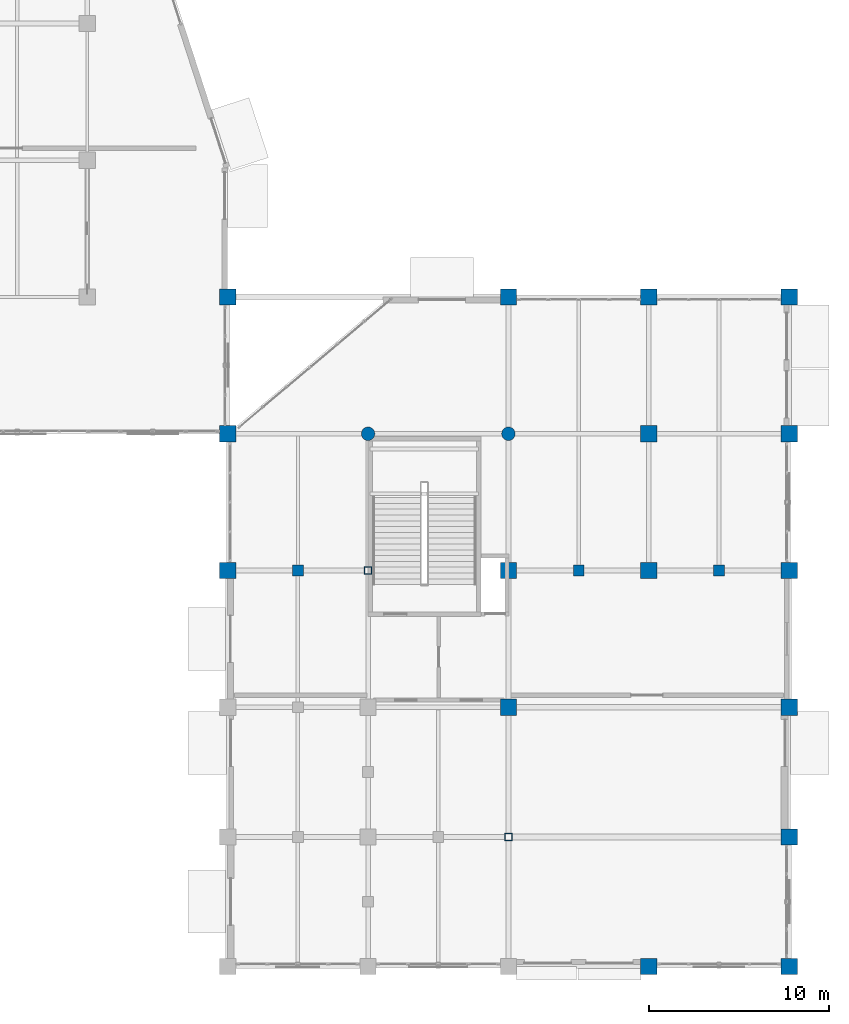
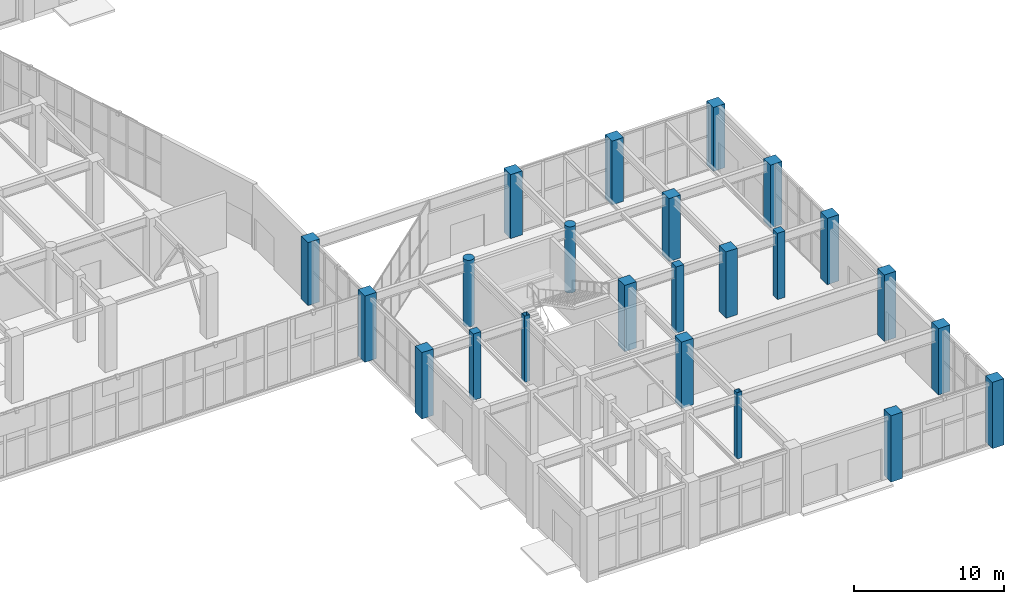
# One storey, part 7 of 139: 23 columns.
"""IFC4 building model written with IfcOpenShell, lengths in metres."""

from ifc_helpers import new_model, si_unit, direction, frame, origin, origin_2d, place, context, subcontext, project, spatial, rectangle, hollow_rectangle, circle, extrude, material, material_profile, profile_set, type_object, element, save


model = new_model("IFC4")

# Units and contexts
model_context = context("Model", 3, precision=1e-05, world=origin(), true_north=direction((0.0, 1.0)))
body_context = subcontext(model_context, "Body", "Model", "MODEL_VIEW")
ifc_project = project(units=[si_unit("LENGTHUNIT", "METRE"), si_unit("AREAUNIT", "SQUARE_METRE"), si_unit("VOLUMEUNIT", "CUBIC_METRE"), si_unit("PLANEANGLEUNIT", "RADIAN"), si_unit("MASSUNIT", "GRAM", prefix="KILO")], contexts=[model_context])

# Site, building, storey
site_placement = place(None, origin())
site = spatial("IfcSite", under=ifc_project, at=site_placement, CompositionType="ELEMENT")
building_placement = place(site_placement, origin())
building = spatial("IfcBuilding", under=site, at=building_placement, Name="Xicomal Pleat Aquarium", CompositionType="ELEMENT")
storey_placement = place(building_placement, origin())
storey = spatial("IfcBuildingStorey", under=building, at=storey_placement, Name="L01", CompositionType="ELEMENT", Elevation=0.0)

# Columns
ifc_material_1 = material(Name="Concrete C40/50", Category="concrete")
ifc_material_profile_1 = material_profile(ifc_material_1, rectangle(XDim=0.60009765625, YDim=0.60009765625, at=origin_2d()), Name="RC 600x600")
ifc_profile_set_1 = profile_set([ifc_material_profile_1], Name="Concrete C40/50")
column_type_1 = type_object("IfcColumnType", Name="COL-RC-600x600", PredefinedType="COLUMN", material=ifc_profile_set_1)
for number, where, z_axis, x_axis, name in (
    (1, (137.699951171875, 22.800048828125, 0.0), (0.0, 0.0, 1.0), (1.0, 0.0, 0.0), "L01 intermediate support column SUB-26"),
    (2, (153.300048828125, 22.800048828125, 0.0), (0.0, 0.0, 1.0), (1.0, 0.0, 0.0), "L01 intermediate support column SUB-31"),
    (3, (161.10009765625, 22.800048828125, 0.0), (0.0, 0.0, 1.0), (1.0, 0.0, 0.0), "L01 intermediate support column SUB-32"),
):
    element("IfcColumn", number, at=place(storey_placement, frame(where, z_axis=z_axis, x_axis=x_axis)), inside=storey, type_object=column_type_1, Name=name, PredefinedType="COLUMN", context=body_context, shape_type="SweptSolid", body=[
        extrude(rectangle(XDim=0.60009765625, YDim=0.60009765625, at=origin_2d()), origin(), (0.0, 0.0, 1.0), 5.39990234375),
    ])
ifc_material_2 = material(Name="Concrete C40/50", Category="concrete")
ifc_material_profile_2 = material_profile(ifc_material_2, rectangle(XDim=0.89990234375, YDim=0.89990234375, at=origin_2d()), Name="RC 900x900")
ifc_profile_set_2 = profile_set([ifc_material_profile_2], Name="Concrete C40/50")
column_type_2 = type_object("IfcColumnType", Name="COL-RC-900x900", PredefinedType="COLUMN", material=ifc_profile_set_2)
for number, where, z_axis, x_axis, name in (
    (4, (133.800048828125, 22.800048828125, 0.0), (0.0, 0.0, 1.0), (1.0, 0.0, 0.0), "L01 column 17/D"),
    (5, (133.800048828125, 30.39990234375, 0.0), (0.0, 0.0, 1.0), (1.0, 0.0, 0.0), "L01 column 17/E"),
):
    element("IfcColumn", number, at=place(storey_placement, frame(where, z_axis=z_axis, x_axis=x_axis)), inside=storey, type_object=column_type_2, Name=name, PredefinedType="COLUMN", context=body_context, shape_type="SweptSolid", body=[
        extrude(rectangle(XDim=0.89990234375, YDim=0.89990234375, at=origin_2d()), origin(), (0.0, 0.0, 1.0), 5.39990234375),
    ])
column_1_placement = place(storey_placement, frame((133.800048828125, 38.0, 0.0), z_axis=(0.0, 0.0, 1.0), x_axis=(1.0, 0.0, 0.0)))
element("IfcColumn", 6, at=column_1_placement, inside=storey, type_object=column_type_2, Name="L01 column 17/F", PredefinedType="COLUMN", context=body_context, shape_type="SweptSolid", body=[
    extrude(rectangle(XDim=0.89990234375, YDim=0.89990234375, at=origin_2d()), origin(), (0.0, 0.0, 1.0), 5.1201171875),
])
for number, where, z_axis, x_axis, name in (
    (7, (149.39990234375, 15.199951171875, 0.0), (0.0, 0.0, 1.0), (1.0, 0.0, 0.0), "L01 column 19/C"),
    (8, (149.39990234375, 22.800048828125, 0.0), (0.0, 0.0, 1.0), (1.0, 0.0, 0.0), "L01 column 19/D"),
):
    element("IfcColumn", number, at=place(storey_placement, frame(where, z_axis=z_axis, x_axis=x_axis)), inside=storey, type_object=column_type_2, Name=name, PredefinedType="COLUMN", context=body_context, shape_type="SweptSolid", body=[
        extrude(rectangle(XDim=0.89990234375, YDim=0.89990234375, at=origin_2d()), origin(), (0.0, 0.0, 1.0), 5.39990234375),
    ])
column_2_placement = place(storey_placement, frame((149.39990234375, 38.0, 0.0), z_axis=(0.0, 0.0, 1.0), x_axis=(1.0, 0.0, 0.0)))
element("IfcColumn", 9, at=column_2_placement, inside=storey, type_object=column_type_2, Name="L01 column 19/F", PredefinedType="COLUMN", context=body_context, shape_type="SweptSolid", body=[
    extrude(rectangle(XDim=0.89990234375, YDim=0.89990234375, at=origin_2d()), origin(), (0.0, 0.0, 1.0), 5.199951171875),
])
for number, where, z_axis, x_axis, name in (
    (10, (157.199951171875, 0.800048828125, 0.0), (0.0, 0.0, 1.0), (1.0, 0.0, 0.0), "L01 column 20/A"),
    (11, (157.199951171875, 22.800048828125, 0.0), (0.0, 0.0, 1.0), (1.0, 0.0, 0.0), "L01 column 20/D"),
):
    element("IfcColumn", number, at=place(storey_placement, frame(where, z_axis=z_axis, x_axis=x_axis)), inside=storey, type_object=column_type_2, Name=name, PredefinedType="COLUMN", context=body_context, shape_type="SweptSolid", body=[
        extrude(rectangle(XDim=0.89990234375, YDim=0.89990234375, at=origin_2d()), origin(), (0.0, 0.0, 1.0), 5.39990234375),
    ])
column_3_placement = place(storey_placement, frame((157.199951171875, 30.39990234375, 0.0), z_axis=(0.0, 0.0, 1.0), x_axis=(1.0, 0.0, 0.0)))
element("IfcColumn", 12, at=column_3_placement, inside=storey, type_object=column_type_2, Name="L01 column 20/E", PredefinedType="COLUMN", context=body_context, shape_type="SweptSolid", body=[
    extrude(rectangle(XDim=0.89990234375, YDim=0.89990234375, at=origin_2d()), origin(), (0.0, 0.0, 1.0), 5.1201171875),
])
column_4_placement = place(storey_placement, frame((157.199951171875, 38.0, 0.0), z_axis=(0.0, 0.0, 1.0), x_axis=(1.0, 0.0, 0.0)))
element("IfcColumn", 13, at=column_4_placement, inside=storey, type_object=column_type_2, Name="L01 column 20/F", PredefinedType="COLUMN", context=body_context, shape_type="SweptSolid", body=[
    extrude(rectangle(XDim=0.89990234375, YDim=0.89990234375, at=origin_2d()), origin(), (0.0, 0.0, 1.0), 5.199951171875),
])
for number, where, z_axis, x_axis, name in (
    (14, (165.0, 0.800048828125, 0.0), (0.0, 0.0, 1.0), (1.0, 0.0, 0.0), "L01 column 21/A"),
    (15, (165.0, 8.0, 0.0), (0.0, 0.0, 1.0), (1.0, 0.0, 0.0), "L01 column 21/B"),
    (16, (165.0, 15.199951171875, 0.0), (0.0, 0.0, 1.0), (1.0, 0.0, 0.0), "L01 column 21/C"),
    (17, (165.0, 22.800048828125, 0.0), (0.0, 0.0, 1.0), (1.0, 0.0, 0.0), "L01 column 21/D"),
):
    element("IfcColumn", number, at=place(storey_placement, frame(where, z_axis=z_axis, x_axis=x_axis)), inside=storey, type_object=column_type_2, Name=name, PredefinedType="COLUMN", context=body_context, shape_type="SweptSolid", body=[
        extrude(rectangle(XDim=0.89990234375, YDim=0.89990234375, at=origin_2d()), origin(), (0.0, 0.0, 1.0), 5.39990234375),
    ])
column_5_placement = place(storey_placement, frame((165.0, 30.39990234375, 0.0), z_axis=(0.0, 0.0, 1.0), x_axis=(1.0, 0.0, 0.0)))
element("IfcColumn", 18, at=column_5_placement, inside=storey, type_object=column_type_2, Name="L01 column 21/E", PredefinedType="COLUMN", context=body_context, shape_type="SweptSolid", body=[
    extrude(rectangle(XDim=0.89990234375, YDim=0.89990234375, at=origin_2d()), origin(), (0.0, 0.0, 1.0), 5.1201171875),
])
column_6_placement = place(storey_placement, frame((165.0, 38.0, 0.0), z_axis=(0.0, 0.0, 1.0), x_axis=(1.0, 0.0, 0.0)))
element("IfcColumn", 19, at=column_6_placement, inside=storey, type_object=column_type_2, Name="L01 column 21/F", PredefinedType="COLUMN", context=body_context, shape_type="SweptSolid", body=[
    extrude(rectangle(XDim=0.89990234375, YDim=0.89990234375, at=origin_2d()), origin(), (0.0, 0.0, 1.0), 5.199951171875),
])
ifc_material_3 = material(Name="Concrete C40/50", Category="concrete")
ifc_material_profile_3 = material_profile(ifc_material_3, circle(Radius=0.375, at=origin_2d()), Name="RCC D750")
ifc_profile_set_3 = profile_set([ifc_material_profile_3], Name="Concrete C40/50")
column_type_3 = type_object("IfcColumnType", Name="COL-RCC-D750", PredefinedType="COLUMN", material=ifc_profile_set_3)
for number, where, z_axis, x_axis, name in (
    (20, (141.60009765625, 30.39990234375, 0.0), (0.0, 0.0, 1.0), (1.0, 0.0, 0.0), "L01 column 18/E"),
    (21, (149.39990234375, 30.39990234375, 0.0), (0.0, 0.0, 1.0), (1.0, 0.0, 0.0), "L01 column 19/E"),
):
    element("IfcColumn", number, at=place(storey_placement, frame(where, z_axis=z_axis, x_axis=x_axis)), inside=storey, type_object=column_type_3, Name=name, PredefinedType="COLUMN", context=body_context, shape_type="SweptSolid", body=[
        extrude(circle(Radius=0.375, at=origin_2d()), origin(), (0.0, 0.0, 1.0), 5.39990234375),
    ])
ifc_material_4 = material(Name="Structural steel A500 Gr C", Category="steel")
ifc_material_profile_4 = material_profile(ifc_material_4, hollow_rectangle(XDim=0.39990234375, YDim=0.39990234375, WallThickness=0.01611328125, at=origin_2d()), Name="OR 400x400x16")
ifc_profile_set_4 = profile_set([ifc_material_profile_4], Name="Structural steel A500 Gr C")
column_type_4 = type_object("IfcColumnType", Name="COL-STL-OR400", PredefinedType="COLUMN", material=ifc_profile_set_4)
for number, where, z_axis, x_axis, name in (
    (22, (141.60009765625, 22.800048828125, 0.0), (0.0, 0.0, 1.0), (1.0, 0.0, 0.0), "L01 column 18/D"),
    (23, (149.39990234375, 8.0, 0.0), (0.0, 0.0, 1.0), (1.0, 0.0, 0.0), "L01 column 19/B"),
):
    element("IfcColumn", number, at=place(storey_placement, frame(where, z_axis=z_axis, x_axis=x_axis)), inside=storey, type_object=column_type_4, Name=name, PredefinedType="COLUMN", context=body_context, shape_type="SweptSolid", body=[
        extrude(hollow_rectangle(XDim=0.39990234375, YDim=0.39990234375, WallThickness=0.01611328125, at=origin_2d()), origin(), (0.0, 0.0, 1.0), 5.39990234375),
    ])

save(model, "model.ifc")
